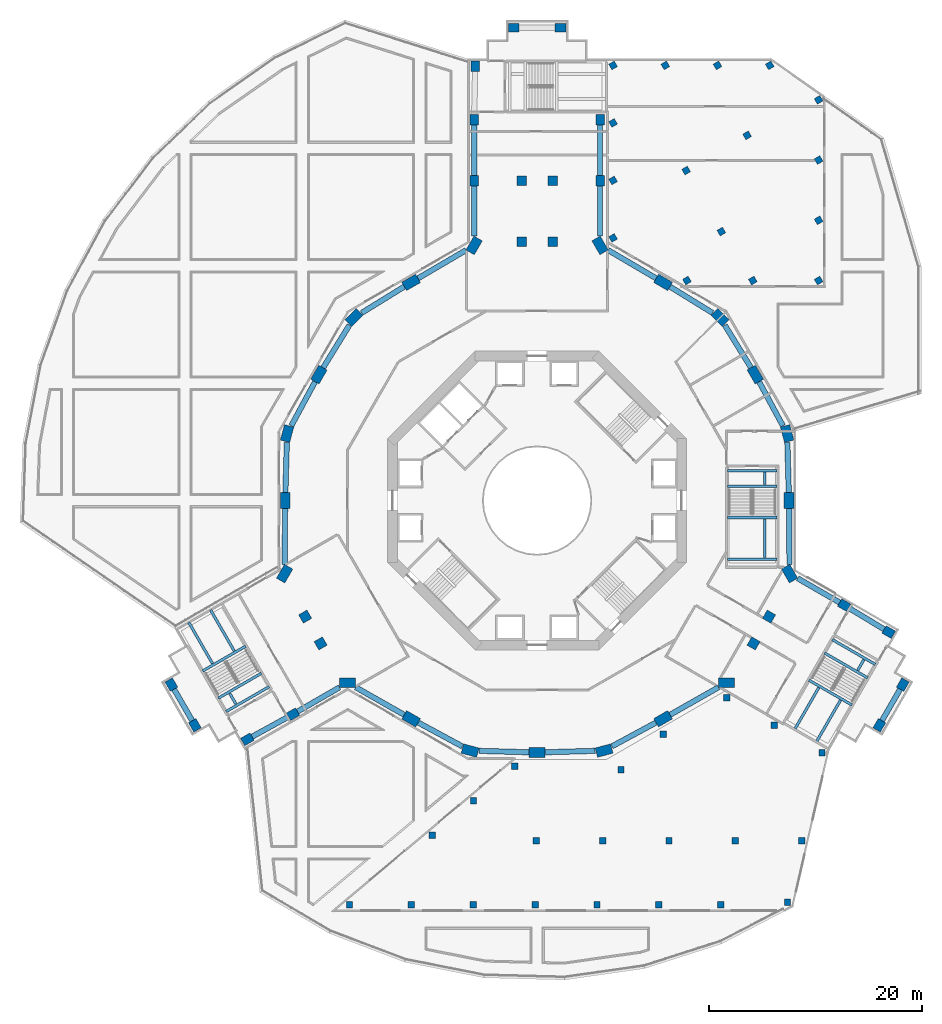
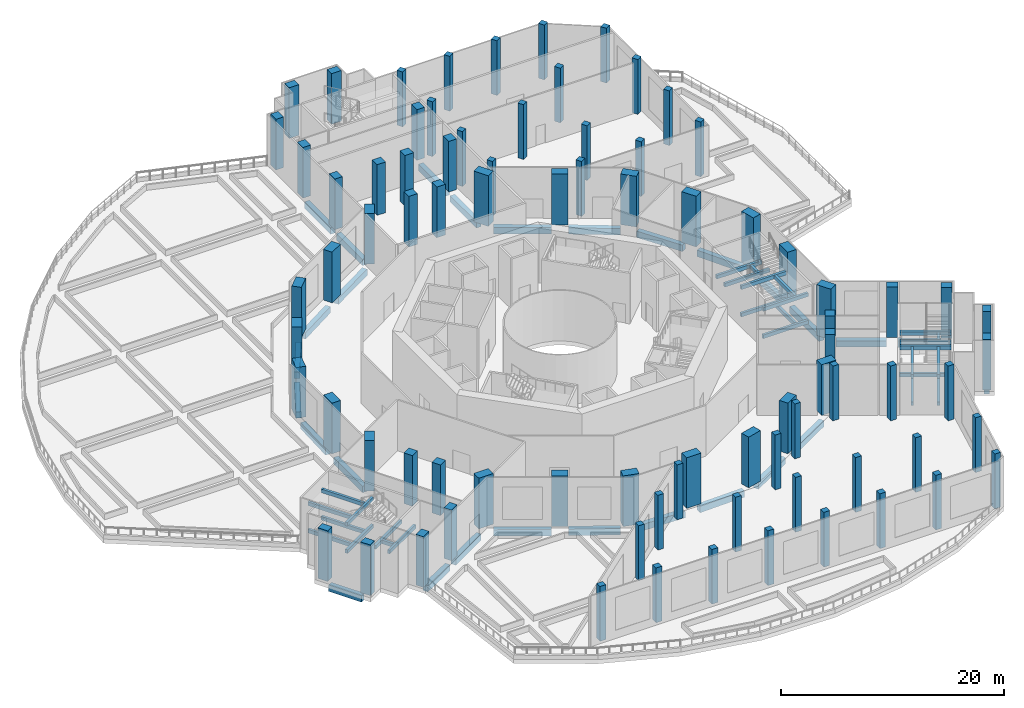
# One storey, part 1 of 29: 81 columns, 55 beams.
"""IFC4 building model written with IfcOpenShell, lengths in metres."""

import ifcopenshell
import ifcopenshell.guid

model = None  # the IFC model being written
_history = None  # IfcOwnerHistory: only IFC2X3 demands one
_inside = {}  # id of a spatial element -> (the spatial element, [elements in it])
_under = {}  # id of a project, library or spatial element -> (it, [spatial elements below it])
_declared = {}  # id of a project -> (the project, [libraries it declares])
_typed = {}  # id of a type object -> (the type object, [elements of that type])
_made_of = {}  # id of a material, layer set ... -> (it, [elements and type objects made of it])


def new_model(schema):
    """Start an empty IFC model of exactly this schema.

    Asked for "IFC4X3", IfcOpenShell would pick the latest addendum, in which some entities
    have other attributes; the version numbers below select the first issue.
    IFC2X3 requires an IfcOwnerHistory on every rooted entity: one is made here for all.
    """
    global model, _history
    if schema == "IFC4X3":
        model = ifcopenshell.file(schema_version=(4, 3, 0, 0))
    else:
        model = ifcopenshell.file(schema=schema)
    _inside.clear()
    _under.clear()
    _declared.clear()
    _typed.clear()
    _made_of.clear()
    _history = None
    if model.schema == "IFC2X3":
        org = make("IfcOrganization", Name="unknown")
        user = make(
            "IfcPersonAndOrganization",
            ThePerson=make("IfcPerson", FamilyName="unknown"),
            TheOrganization=org,
        )
        app = make(
            "IfcApplication",
            ApplicationDeveloper=org,
            Version="unknown",
            ApplicationFullName="unknown",
            ApplicationIdentifier="unknown",
        )
        _history = make(
            "IfcOwnerHistory",
            OwningUser=user,
            OwningApplication=app,
            ChangeAction="ADDED",
            CreationDate=0,
        )
    return model


def make(cls, **values):
    """One entity of the class cls with the attributes given. An attribute that is None is left unset."""
    return model.create_entity(
        cls, **{name: value for name, value in values.items() if value is not None}
    )


def rooted(cls, **values):
    """An entity with a GlobalId (a new one), such as an element, a storey or a relation."""
    return make(cls, GlobalId=ifcopenshell.guid.new(), OwnerHistory=_history, **values)


def si_unit(unit_type, name, prefix=None):
    """IfcSIUnit, for example si_unit("LENGTHUNIT", "METRE", prefix="MILLI")."""
    return make("IfcSIUnit", UnitType=unit_type, Prefix=prefix, Name=name)


def assignment(units):
    """IfcUnitAssignment: the units of a project."""
    return None if units is None else make("IfcUnitAssignment", Units=units)


def point(xyz):
    """IfcCartesianPoint."""
    return None if xyz is None else make("IfcCartesianPoint", Coordinates=xyz)


def direction(xyz):
    """IfcDirection."""
    return None if xyz is None else make("IfcDirection", DirectionRatios=xyz)


def frame(location, z_axis=None, x_axis=None):
    """IfcAxis2Placement3D, a coordinate frame: its origin and axes. An axis left out is left unset."""
    return make(
        "IfcAxis2Placement3D",
        Location=point(location),
        Axis=direction(z_axis),
        RefDirection=direction(x_axis),
    )


def frame_2d(location, x_axis=None):
    """IfcAxis2Placement2D, a coordinate frame in the plane: its origin and x axis."""
    return make(
        "IfcAxis2Placement2D", Location=point(location), RefDirection=direction(x_axis)
    )


def origin():
    """The frame at (0, 0, 0) with its axes left unset."""
    return frame((0.0, 0.0, 0.0))


def origin_2d():
    """The frame at (0, 0) in the plane with its x axis left unset."""
    return frame_2d((0.0, 0.0))


def place(relative_to, where):
    """IfcLocalPlacement: puts the frame where relative to a parent placement (None: the world)."""
    return make(
        "IfcLocalPlacement", PlacementRelTo=relative_to, RelativePlacement=where
    )


def context(
    kind, dimensions, precision=None, world=None, true_north=None, identifier=None
):
    """IfcGeometricRepresentationContext, for example the 3D "Model" context."""
    return make(
        "IfcGeometricRepresentationContext",
        ContextIdentifier=identifier,
        ContextType=kind,
        CoordinateSpaceDimension=dimensions,
        Precision=precision,
        WorldCoordinateSystem=world,
        TrueNorth=true_north,
    )


def subcontext(parent, identifier, kind, view, scale=None):
    """IfcGeometricRepresentationSubContext, for example "Body" below "Model"."""
    return make(
        "IfcGeometricRepresentationSubContext",
        ContextIdentifier=identifier,
        ContextType=kind,
        ParentContext=parent,
        TargetScale=scale,
        TargetView=view,
    )


def project(units=None, contexts=None):
    """IfcProject with its units and contexts."""
    return rooted(
        "IfcProject",
        Name="project",
        RepresentationContexts=contexts,
        UnitsInContext=assignment(units),
    )


def spatial(cls, under=None, at=None, **own):
    """A site, building, storey or space (cls), placed at a placement, below another one or the project."""
    s = rooted(cls, ObjectPlacement=at, **own)
    if under is not None:
        _under.setdefault(under.id(), (under, []))[1].append(s)
    return s


def profile(cls, at=None, kind="AREA", **sizes):
    """A parametric profile (cls). Its sizes go by their IFC names, for example OverallWidth=200.0."""
    return make(cls, ProfileType=kind, Position=at, **sizes)


def rectangle(**sizes):
    """IfcRectangleProfileDef."""
    return profile("IfcRectangleProfileDef", **sizes)


def extrude(swept, where, along, depth):
    """IfcExtrudedAreaSolid: the profile swept, set in the frame where, extruded along a direction by depth."""
    return make(
        "IfcExtrudedAreaSolid",
        SweptArea=swept,
        Position=where,
        ExtrudedDirection=direction(along),
        Depth=depth,
    )


def shape(context_of_items, identifier, shape_type, items):
    """IfcShapeRepresentation: the items that make up one representation, for example the "Body"."""
    return make(
        "IfcShapeRepresentation",
        ContextOfItems=context_of_items,
        RepresentationIdentifier=identifier,
        RepresentationType=shape_type,
        Items=items,
    )


def material(Name=None, Category=None):
    """IfcMaterial."""
    return make("IfcMaterial", Name=Name, Category=Category)


def material_profile(
    of_material, cross_section, Name=None, Category=None, Priority=None
):
    """IfcMaterialProfile: a cross section and its material."""
    return make(
        "IfcMaterialProfile",
        Name=Name,
        Material=of_material,
        Profile=cross_section,
        Priority=Priority,
        Category=Category,
    )


def profile_set(profiles, Name=None, composite=None):
    """IfcMaterialProfileSet."""
    return make(
        "IfcMaterialProfileSet",
        Name=Name,
        MaterialProfiles=profiles,
        CompositeProfile=composite,
    )


def made_of(thing, what):
    """Note that an element or type object is made of a material, layer set ...; save() writes the relation."""
    if what is not None:
        _made_of.setdefault(what.id(), (what, []))[1].append(thing)
    return thing


def type_object(cls, material=None, **own):
    """A type object (cls), such as IfcWallType, which elements share."""
    return made_of(rooted(cls, **own), material)


def element(
    cls,
    number,
    at=None,
    inside=None,
    cuts=None,
    type_object=None,
    material=None,
    context=None,
    identifier="Body",
    shape_type=None,
    held_by="IfcProductDefinitionShape",
    body=None,
    shapes=None,
    **own,
):
    """One element of the class cls, such as IfcWall. Its Tag is "e" and its number.

    at: its placement. inside: the storey or other place that contains it. cuts: it is an
    opening in that element (IfcRelVoidsElement). A single representation is given by context,
    identifier, shape_type and body (its items); several are given by shapes. held_by: the class
    of the entity that holds the representations. save() writes the other relations.
    """
    e = rooted(cls, Tag="e%d" % number, ObjectPlacement=at, **own)
    if body is not None:
        shapes = [shape(context, identifier, shape_type, body)]
    if shapes is not None:
        e.Representation = make(held_by, Representations=shapes)
    if inside is not None:
        _inside.setdefault(inside.id(), (inside, []))[1].append(e)
    if cuts is not None:
        rooted(
            "IfcRelVoidsElement", RelatingBuildingElement=cuts, RelatedOpeningElement=e
        )
    if type_object is not None:
        _typed.setdefault(type_object.id(), (type_object, []))[1].append(e)
    return made_of(e, material)


def aggregate(whole, parts):
    """IfcRelAggregates: a whole, such as a stair, and the parts it consists of."""
    return rooted("IfcRelAggregates", RelatingObject=whole, RelatedObjects=parts)


def save(model, path):
    """Write the relations noted so far, then the file.

    IfcRelAggregates (storeys below a building ...), IfcRelContainedInSpatialStructure (elements
    in a storey), IfcRelDefinesByType, IfcRelAssociatesMaterial and IfcRelDeclares: one each for
    every whole, place, type object, material and project.
    """
    for whole, parts in _under.values():
        aggregate(whole, parts)
    for where, things in _inside.values():
        rooted(
            "IfcRelContainedInSpatialStructure",
            RelatedElements=things,
            RelatingStructure=where,
        )
    for kind, things in _typed.values():
        rooted("IfcRelDefinesByType", RelatedObjects=things, RelatingType=kind)
    for what, things in _made_of.values():
        rooted("IfcRelAssociatesMaterial", RelatedObjects=things, RelatingMaterial=what)
    for by, libraries in _declared.values():
        rooted("IfcRelDeclares", RelatingContext=by, RelatedDefinitions=libraries)
    model.write(path)


model = new_model("IFC4")

# Units and contexts
model_context = context("Model", 3, precision=1e-05, world=origin(), true_north=direction((0.0, 1.0)))
body_context = subcontext(model_context, "Body", "Model", "MODEL_VIEW")
ifc_project = project(units=[si_unit("LENGTHUNIT", "METRE"), si_unit("AREAUNIT", "SQUARE_METRE"), si_unit("VOLUMEUNIT", "CUBIC_METRE"), si_unit("PLANEANGLEUNIT", "RADIAN"), si_unit("MASSUNIT", "GRAM", prefix="KILO")], contexts=[model_context])

# Site, building, storey
site_placement = place(None, origin())
site = spatial("IfcSite", under=ifc_project, at=site_placement, CompositionType="ELEMENT")
building_placement = place(site_placement, origin())
building = spatial("IfcBuilding", under=site, at=building_placement, Name="Verdalira Terraces Hotel", CompositionType="ELEMENT")
storey_placement = place(building_placement, frame((0.0, 0.0, 8.0)))
storey = spatial("IfcBuildingStorey", under=building, at=storey_placement, Name="L01", CompositionType="ELEMENT", Elevation=8.0)

# Columns
ifc_material_1 = material(Name="Concrete C80", Category="concrete")
ifc_material_profile_1 = material_profile(ifc_material_1, rectangle(XDim=1.0, YDim=0.800049, at=origin_2d()), Name="RC 1000X800")
ifc_profile_set_1 = profile_set([ifc_material_profile_1], Name="Concrete C80")
column_type_1 = type_object("IfcColumnType", Name="Column RC 1000X800 C80", PredefinedType="COLUMN", material=ifc_profile_set_1)
for number, where, z_axis, x_axis, name in (
    (1, (5.899902, 29.972168, 0.0), (0.0, 0.0, 1.0), (0.0, 1.0, 0.0), "Column C01"),
    (2, (5.899902, 35.686035, 0.0), (0.0, 0.0, 1.0), (0.0, 1.0, 0.0), "Column C02"),
    (3, (-5.800049, 40.699951, 0.0), (0.0, 0.0, 1.0), (0.0, -1.0, 0.0), "Column C03"),
    (4, (-5.899902, 35.686035, 0.0), (0.0, 0.0, 1.0), (0.0, -1.0, 0.0), "Column C04"),
    (5, (-5.899902, 29.972168, 0.0), (0.0, 0.0, 1.0), (0.0, -1.0, 0.0), "Column C05"),
    (6, (-34.268799, -17.244629, 0.0), (0.0, 0.0, 1.0), (0.5, -0.866025404, 0.0), "Column C13"),
    (7, (-32.068848, -21.05542, 0.0), (0.0, 0.0, 1.0), (0.5, -0.866025404, 0.0), "Column C14"),
    (8, (-27.151123, -22.372803, 0.0), (0.0, 0.0, 1.0), (0.866025404, 0.5, 0.0), "Column C15"),
    (9, (-22.882812, -20.02417, 0.0), (0.0, 0.0, 1.0), (0.866025404, 0.5, 0.0), "Column C16"),
    (10, (32.068848, -21.05542, 0.0), (0.0, 0.0, 1.0), (0.5, 0.866025404, 0.0), "Column C24"),
    (11, (34.268799, -17.244629, 0.0), (0.0, 0.0, 1.0), (0.5, 0.866025404, 0.0), "Column C25"),
    (12, (32.951172, -12.327148, 0.0), (0.0, 0.0, 1.0), (-0.866025404, 0.5, 0.0), "Column C26"),
    (13, (28.782715, -9.804932, 0.0), (0.0, 0.0, 1.0), (-0.866025404, 0.5, 0.0), "Column C27"),
    (14, (2.199951, 44.300049, 0.0), (0.0, 0.0, 1.0), (-1.0, 0.0, 0.0), "Column C35"),
    (15, (-2.199951, 44.300049, 0.0), (0.0, 0.0, 1.0), (-1.0, 0.0, 0.0), "Column C36"),
):
    element("IfcColumn", number, at=place(storey_placement, frame(where, z_axis=z_axis, x_axis=x_axis)), inside=storey, type_object=column_type_1, Name=name, PredefinedType="COLUMN", context=body_context, shape_type="SweptSolid", body=[
        extrude(rectangle(XDim=1.0, YDim=0.800049, at=origin_2d()), origin(), (0.0, 0.0, 1.0), 5.550049),
    ])
ifc_material_2 = material(Name="Concrete C80", Category="concrete")
ifc_material_profile_2 = material_profile(ifc_material_2, rectangle(XDim=1.5, YDim=0.899902, at=origin_2d()), Name="RC 1500X900")
ifc_profile_set_2 = profile_set([ifc_material_profile_2], Name="Concrete C80")
column_type_2 = type_object("IfcColumnType", Name="Column RC 1500X900 C80", PredefinedType="COLUMN", material=ifc_profile_set_2)
for number, where, z_axis, x_axis, name in (
    (16, (-5.899902, 23.911865, 0.0), (0.0, 0.0, 1.0), (0.5, 0.866025404, 0.0), "Column C06"),
    (17, (-11.804199, 20.445312, 0.0), (0.0, 0.0, 1.0), (-0.866025404, -0.5, 0.0), "Column C07"),
    (18, (-17.150635, 17.150635, 0.0), (0.0, 0.0, 1.0), (0.707106781, 0.707106781, 0.0), "Column C08"),
    (19, (-20.445312, 11.804199, 0.0), (0.0, 0.0, 1.0), (-0.5, -0.866025404, 0.0), "Column C09"),
    (20, (-23.428223, 6.277588, 0.0), (0.0, 0.0, 1.0), (0.258819045, 0.965925826, 0.0), "Column C10"),
    (21, (-23.608398, 0.0, 0.0), (0.0, 0.0, 1.0), (0.0, -1.0, 0.0), "Column C11"),
    (22, (-23.658203, -6.846436, 0.0), (0.0, 0.0, 1.0), (0.5, 0.866025404, 0.0), "Column C12"),
    (23, (-17.758301, -17.06543, 0.0), (0.0, 0.0, 1.0), (-1.0, 0.0, 0.0), "Column C17"),
    (24, (-11.804199, -20.445312, 0.0), (0.0, 0.0, 1.0), (0.866025404, -0.5, 0.0), "Column C18"),
    (25, (-6.277588, -23.428223, 0.0), (0.0, 0.0, 1.0), (-0.965925826, 0.258819045, 0.0), "Column C19"),
    (26, (0.0, -23.608398, 0.0), (0.0, 0.0, 1.0), (1.0, 0.0, 0.0), "Column C20"),
    (27, (6.277588, -23.428223, 0.0), (0.0, 0.0, 1.0), (-0.965925826, -0.258819045, 0.0), "Column C21"),
    (28, (11.804199, -20.445312, 0.0), (0.0, 0.0, 1.0), (0.866025404, 0.5, 0.0), "Column C22"),
    (29, (17.758301, -17.06543, 0.0), (0.0, 0.0, 1.0), (-1.0, 0.0, 0.0), "Column C23"),
    (30, (23.658203, -6.846436, 0.0), (0.0, 0.0, 1.0), (0.5, -0.866025404, 0.0), "Column C28"),
    (31, (23.608398, 0.0, 0.0), (0.0, 0.0, 1.0), (0.0, 1.0, 0.0), "Column C29"),
    (32, (23.428223, 6.277588, 0.0), (0.0, 0.0, 1.0), (0.258819045, -0.965925826, 0.0), "Column C30"),
    (33, (20.445312, 11.804199, 0.0), (0.0, 0.0, 1.0), (-0.5, 0.866025404, 0.0), "Column C31"),
    (34, (17.150635, 17.150635, 0.0), (0.0, 0.0, 1.0), (0.707106781, -0.707106781, 0.0), "Column C32"),
    (35, (11.804199, 20.445312, 0.0), (0.0, 0.0, 1.0), (-0.866025404, 0.5, 0.0), "Column C33"),
    (36, (5.899902, 23.911865, 0.0), (0.0, 0.0, 1.0), (0.5, -0.866025404, 0.0), "Column C34"),
):
    element("IfcColumn", number, at=place(storey_placement, frame(where, z_axis=z_axis, x_axis=x_axis)), inside=storey, type_object=column_type_2, Name=name, PredefinedType="COLUMN", context=body_context, shape_type="SweptSolid", body=[
        extrude(rectangle(XDim=1.5, YDim=0.899902, at=origin_2d()), origin(), (0.0, 0.0, 1.0), 5.550049),
    ])
ifc_material_3 = material(Name="Concrete C80", Category="concrete")
ifc_material_profile_3 = material_profile(ifc_material_3, rectangle(XDim=0.899902, YDim=0.899902, at=origin_2d()), Name="RC 900X900")
ifc_profile_set_3 = profile_set([ifc_material_profile_3], Name="Concrete C80")
column_type_3 = type_object("IfcColumnType", Name="Column RC 900X900 C80", PredefinedType="COLUMN", material=ifc_profile_set_3)
for number, where, z_axis, x_axis, name in (
    (37, (1.449951, 24.258301, 0.0), (0.0, 0.0, 1.0), (0.0, 1.0, 0.0), "Column C37"),
    (38, (-1.449951, 24.258301, 0.0), (0.0, 0.0, 1.0), (0.0, 1.0, 0.0), "Column C38"),
    (39, (1.449951, 29.972168, 0.0), (0.0, 0.0, 1.0), (0.0, 1.0, 0.0), "Column C39"),
    (40, (-1.449951, 29.972168, 0.0), (0.0, 0.0, 1.0), (0.0, 1.0, 0.0), "Column C40"),
    (41, (-21.733398, -10.873291, 0.0), (0.0, 0.0, 1.0), (-0.866025404, -0.5, 0.0), "Column C41"),
    (42, (-20.283203, -13.38501, 0.0), (0.0, 0.0, 1.0), (-0.866025404, -0.5, 0.0), "Column C42"),
    (43, (20.283203, -13.38501, 0.0), (0.0, 0.0, 1.0), (0.866025404, -0.5, 0.0), "Column C43"),
    (44, (21.733398, -10.873291, 0.0), (0.0, 0.0, 1.0), (0.866025404, -0.5, 0.0), "Column C44"),
):
    element("IfcColumn", number, at=place(storey_placement, frame(where, z_axis=z_axis, x_axis=x_axis)), inside=storey, type_object=column_type_3, Name=name, PredefinedType="COLUMN", context=body_context, shape_type="SweptSolid", body=[
        extrude(rectangle(XDim=0.899902, YDim=0.899902, at=origin_2d()), origin(), (0.0, 0.0, 1.0), 5.550049),
    ])
ifc_material_4 = material(Name="Concrete C50", Category="concrete")
ifc_material_profile_4 = material_profile(ifc_material_4, rectangle(XDim=0.600098, YDim=0.600098, at=origin_2d()), Name="RC 600X600")
ifc_profile_set_4 = profile_set([ifc_material_profile_4], Name="Concrete C50")
column_type_4 = type_object("IfcColumnType", Name="Wing column RC 600X600 Concrete C50", PredefinedType="COLUMN", material=ifc_profile_set_4)
for number, where, z_axis, x_axis, name in (
    (45, (-17.576904, -37.879883, 0.0), (0.0, 0.0, 1.0), (0.0, -1.0, 0.0), "Wing column PC01"),
    (46, (-9.82959, -31.37915, 0.0), (0.0, 0.0, 1.0), (0.0, -1.0, 0.0), "Wing column PC02"),
    (47, (-11.778809, -37.879883, 0.0), (0.0, 0.0, 1.0), (0.0, -1.0, 0.0), "Wing column PC03"),
    (48, (-5.955811, -28.128662, 0.0), (0.0, 0.0, 1.0), (0.0, -1.0, 0.0), "Wing column PC04"),
    (49, (-5.980225, -37.879883, 0.0), (0.0, 0.0, 1.0), (0.0, -1.0, 0.0), "Wing column PC05"),
    (50, (-2.082275, -24.878418, 0.0), (0.0, 0.0, 1.0), (0.0, -1.0, 0.0), "Wing column PC06"),
    (51, (-0.181885, -37.879883, 0.0), (0.0, 0.0, 1.0), (0.0, -1.0, 0.0), "Wing column PC07"),
    (52, (-0.068848, -31.879883, 0.0), (0.0, 0.0, 1.0), (0.0, -1.0, 0.0), "Wing column PC08"),
    (53, (5.616211, -37.879883, 0.0), (0.0, 0.0, 1.0), (0.0, -1.0, 0.0), "Wing column PC09"),
    (54, (6.146729, -31.879883, 0.0), (0.0, 0.0, 1.0), (0.0, -1.0, 0.0), "Wing column PC10"),
    (55, (11.414551, -37.879883, 0.0), (0.0, 0.0, 1.0), (0.0, -1.0, 0.0), "Wing column PC11"),
    (56, (7.860107, -25.226807, 0.0), (0.0, 0.0, 1.0), (0.0, -1.0, 0.0), "Wing column PC12"),
    (57, (12.362549, -31.879883, 0.0), (0.0, 0.0, 1.0), (0.0, -1.0, 0.0), "Wing column PC13"),
    (58, (17.212891, -37.879883, 0.0), (0.0, 0.0, 1.0), (0.0, -1.0, 0.0), "Wing column PC14"),
    (59, (11.824707, -21.899902, 0.0), (0.0, 0.0, 1.0), (0.0, -1.0, 0.0), "Wing column PC15"),
    (60, (18.578125, -31.879883, 0.0), (0.0, 0.0, 1.0), (0.0, -1.0, 0.0), "Wing column PC16"),
    (61, (23.460449, -37.647217, 0.0), (0.0, 0.0, 1.0), (0.0, -1.0, 0.0), "Wing column PC17"),
    (62, (24.793945, -31.879883, 0.0), (0.0, 0.0, 1.0), (0.0, -1.0, 0.0), "Wing column PC18"),
    (63, (17.758301, -18.474121, 0.0), (0.0, 0.0, 1.0), (0.0, -1.0, 0.0), "Wing column PC19"),
    (64, (22.229004, -21.05542, 0.0), (0.0, 0.0, 1.0), (0.0, -1.0, 0.0), "Wing column PC20"),
    (65, (26.699951, -23.636719, 0.0), (0.0, 0.0, 1.0), (0.0, -1.0, 0.0), "Wing column PC21"),
    (66, (26.379883, 20.620117, 0.0), (0.0, 0.0, 1.0), (0.866025404, 0.5, 0.0), "Wing column PC22"),
    (67, (26.379883, 26.264893, 0.0), (0.0, 0.0, 1.0), (0.866025404, 0.5, 0.0), "Wing column PC23"),
    (68, (20.210938, 20.620117, 0.0), (0.0, 0.0, 1.0), (0.866025404, 0.5, 0.0), "Wing column PC24"),
    (69, (26.379883, 31.909912, 0.0), (0.0, 0.0, 1.0), (0.866025404, 0.5, 0.0), "Wing column PC25"),
    (70, (26.379883, 37.554688, 0.0), (0.0, 0.0, 1.0), (0.866025404, 0.5, 0.0), "Wing column PC26"),
    (71, (17.266113, 25.210693, 0.0), (0.0, 0.0, 1.0), (0.866025404, 0.5, 0.0), "Wing column PC27"),
    (72, (14.041748, 20.620117, 0.0), (0.0, 0.0, 1.0), (0.866025404, 0.5, 0.0), "Wing column PC28"),
    (73, (19.681885, 34.226562, 0.0), (0.0, 0.0, 1.0), (0.866025404, 0.5, 0.0), "Wing column PC29"),
    (74, (21.803467, 40.780029, 0.0), (0.0, 0.0, 1.0), (0.866025404, 0.5, 0.0), "Wing column PC30"),
    (75, (13.966309, 30.926514, 0.0), (0.0, 0.0, 1.0), (0.866025404, 0.5, 0.0), "Wing column PC31"),
    (76, (16.908936, 40.780029, 0.0), (0.0, 0.0, 1.0), (0.866025404, 0.5, 0.0), "Wing column PC32"),
    (77, (12.014404, 40.780029, 0.0), (0.0, 0.0, 1.0), (0.866025404, 0.5, 0.0), "Wing column PC33"),
    (78, (7.120117, 24.616211, 0.0), (0.0, 0.0, 1.0), (0.866025404, 0.5, 0.0), "Wing column PC34"),
    (79, (7.120117, 30.00415, 0.0), (0.0, 0.0, 1.0), (0.866025404, 0.5, 0.0), "Wing column PC35"),
    (80, (7.120117, 35.39209, 0.0), (0.0, 0.0, 1.0), (0.866025404, 0.5, 0.0), "Wing column PC36"),
    (81, (7.120117, 40.780029, 0.0), (0.0, 0.0, 1.0), (0.866025404, 0.5, 0.0), "Wing column PC37"),
):
    element("IfcColumn", number, at=place(storey_placement, frame(where, z_axis=z_axis, x_axis=x_axis)), inside=storey, type_object=column_type_4, Name=name, PredefinedType="COLUMN", context=body_context, shape_type="SweptSolid", body=[
        extrude(rectangle(XDim=0.600098, YDim=0.600098, at=origin_2d()), origin(), (0.0, 0.0, 1.0), 6.0),
    ])

# Beams
ifc_material_5 = material(Name="Concrete C70", Category="concrete")
ifc_material_profile_5 = material_profile(ifc_material_5, rectangle(XDim=0.5, YDim=0.699951, at=origin_2d()), Name="RC 500X700")
ifc_profile_set_5 = profile_set([ifc_material_profile_5], Name="Concrete C70")
beam_type_1 = type_object("IfcBeamType", Name="Spandrel beam RC 500X700 C70", PredefinedType="SPANDREL", material=ifc_profile_set_5)
beam_1_placement = place(storey_placement, frame((5.899902, 24.786377, -0.800049), z_axis=(0.0, 1.0, 0.0), x_axis=(-1.0, 0.0, 0.0)))
element("IfcBeam", 82, at=beam_1_placement, inside=storey, type_object=beam_type_1, Name="Spandrel beam B01", PredefinedType="SPANDREL", context=body_context, shape_type="SweptSolid", body=[
    extrude(rectangle(XDim=0.5, YDim=0.699951, at=origin_2d()), origin(), (0.0, 0.0, 1.0), 4.685791),
])
for number, where, z_axis, x_axis, name in (
    (83, (5.899902, 30.472168, -0.800049), (0.0, 1.0, 0.0), (-1.0, 0.0, 0.0), "Spandrel beam B02"),
    (84, (-5.899902, 35.186035, -0.800049), (0.0, -1.0, 0.0), (1.0, 0.0, 0.0), "Spandrel beam B05"),
):
    element("IfcBeam", number, at=place(storey_placement, frame(where, z_axis=z_axis, x_axis=x_axis)), inside=storey, type_object=beam_type_1, Name=name, PredefinedType="SPANDREL", context=body_context, shape_type="SweptSolid", body=[
        extrude(rectangle(XDim=0.5, YDim=0.699951, at=origin_2d()), origin(), (0.0, 0.0, 1.0), 4.713867),
    ])
beam_2_placement = place(storey_placement, frame((-5.899902, 29.472168, -0.800049), z_axis=(0.0, -1.0, 0.0), x_axis=(1.0, 0.0, 0.0)))
element("IfcBeam", 85, at=beam_2_placement, inside=storey, type_object=beam_type_1, Name="Spandrel beam B06", PredefinedType="SPANDREL", context=body_context, shape_type="SweptSolid", body=[
    extrude(rectangle(XDim=0.5, YDim=0.699951, at=origin_2d()), origin(), (0.0, 0.0, 1.0), 4.685791),
])
beam_3_placement = place(storey_placement, frame((-6.654053, 23.469238, -0.800049), z_axis=(-0.862353622, -0.506306458, 0.0), x_axis=(0.506306458, -0.862353622, 0.0)))
element("IfcBeam", 86, at=beam_3_placement, inside=storey, type_object=beam_type_1, Name="Spandrel beam B07", PredefinedType="SPANDREL", context=body_context, shape_type="SweptSolid", body=[
    extrude(rectangle(XDim=0.5, YDim=0.699951, at=origin_2d()), origin(), (0.0, 0.0, 1.0), 5.21875),
])
for number, where, z_axis, x_axis, name in (
    (87, (-12.453369, 20.04541, -0.800049), (-0.851334227, -0.524623706, 0.0), (0.524623706, -0.851334227, 0.0), "Spandrel beam B08"),
    (88, (-17.588135, 16.440918, -0.800049), (-0.524623706, -0.851334227, 0.0), (0.851334227, -0.524623706, 0.0), "Spandrel beam B09"),
    (89, (-20.807617, 11.133057, -0.800049), (-0.474994751, -0.879988629, 0.0), (0.879988629, -0.474994751, 0.0), "Spandrel beam B10"),
):
    element("IfcBeam", number, at=place(storey_placement, frame(where, z_axis=z_axis, x_axis=x_axis)), inside=storey, type_object=beam_type_1, Name=name, PredefinedType="SPANDREL", context=body_context, shape_type="SweptSolid", body=[
        extrude(rectangle(XDim=0.5, YDim=0.699951, at=origin_2d()), origin(), (0.0, 0.0, 1.0), 4.683838),
    ])
beam_4_placement = place(storey_placement, frame((-23.452148, 5.444336, -0.800049), z_axis=(-0.028666908, -0.99958902, 0.0), x_axis=(0.99958902, -0.028666908, 0.0)))
element("IfcBeam", 90, at=beam_4_placement, inside=storey, type_object=beam_type_1, Name="Spandrel beam B11", PredefinedType="SPANDREL", context=body_context, shape_type="SweptSolid", body=[
    extrude(rectangle(XDim=0.5, YDim=0.699951, at=origin_2d()), origin(), (0.0, 0.0, 1.0), 4.684082),
])
beam_5_placement = place(storey_placement, frame((-23.61377, -0.753174, -0.800049), z_axis=(-0.00729771, -0.999973371, 0.0), x_axis=(0.999973371, -0.00729771, 0.0)))
element("IfcBeam", 91, at=beam_5_placement, inside=storey, type_object=beam_type_1, Name="Spandrel beam B12", PredefinedType="SPANDREL", context=body_context, shape_type="SweptSolid", body=[
    extrude(rectangle(XDim=0.5, YDim=0.699951, at=origin_2d()), origin(), (0.0, 0.0, 1.0), 5.218994),
])
beam_6_placement = place(storey_placement, frame((-34.018799, -17.677734, -0.800049), z_axis=(0.499977295, -0.866038512, 0.0), x_axis=(0.866038512, 0.499977295, 0.0)))
element("IfcBeam", 92, at=beam_6_placement, inside=storey, type_object=beam_type_1, Name="Spandrel beam B13", PredefinedType="SPANDREL", context=body_context, shape_type="SweptSolid", body=[
    extrude(rectangle(XDim=0.5, YDim=0.699951, at=origin_2d()), origin(), (0.0, 0.0, 1.0), 3.400146),
])
beam_7_placement = place(storey_placement, frame((-26.705811, -22.12793, -0.800049), z_axis=(0.876103585, 0.482122918, 0.0), x_axis=(-0.482122918, 0.876103585, 0.0)))
element("IfcBeam", 93, at=beam_7_placement, inside=storey, type_object=beam_type_1, Name="Spandrel beam B14", PredefinedType="SPANDREL", context=body_context, shape_type="SweptSolid", body=[
    extrude(rectangle(XDim=0.5, YDim=0.699951, at=origin_2d()), origin(), (0.0, 0.0, 1.0), 3.855713),
])
beam_8_placement = place(storey_placement, frame((-22.449707, -19.77417, -0.800049), z_axis=(0.866011958, 0.500023288, 0.0), x_axis=(-0.500023288, 0.866011958, 0.0)))
element("IfcBeam", 94, at=beam_8_placement, inside=storey, type_object=beam_type_1, Name="Spandrel beam B15", PredefinedType="SPANDREL", context=body_context, shape_type="SweptSolid", body=[
    extrude(rectangle(XDim=0.5, YDim=0.699951, at=origin_2d()), origin(), (0.0, 0.0, 1.0), 4.542725),
])
beam_9_placement = place(storey_placement, frame((-16.997803, -17.497314, -0.800049), z_axis=(0.869667461, -0.493638034, 0.0), x_axis=(0.493638034, 0.869667461, 0.0)))
element("IfcBeam", 95, at=beam_9_placement, inside=storey, type_object=beam_type_1, Name="Spandrel beam B16", PredefinedType="SPANDREL", context=body_context, shape_type="SweptSolid", body=[
    extrude(rectangle(XDim=0.5, YDim=0.699951, at=origin_2d()), origin(), (0.0, 0.0, 1.0), 5.21875),
])
beam_10_placement = place(storey_placement, frame((-11.133057, -20.807617, -0.800049), z_axis=(0.879988629, -0.474994751, 0.0), x_axis=(0.474994751, 0.879988629, 0.0)))
element("IfcBeam", 96, at=beam_10_placement, inside=storey, type_object=beam_type_1, Name="Spandrel beam B17", PredefinedType="SPANDREL", context=body_context, shape_type="SweptSolid", body=[
    extrude(rectangle(XDim=0.5, YDim=0.699951, at=origin_2d()), origin(), (0.0, 0.0, 1.0), 4.683838),
])
for number, where, z_axis, x_axis, name in (
    (97, (-5.444336, -23.452148, -0.800049), (0.99958902, -0.028666908, 0.0), (0.028666908, 0.99958902, 0.0), "Spandrel beam B18"),
    (98, (0.762207, -23.586426, -0.800049), (0.99958902, 0.028666908, 0.0), (-0.028666908, 0.99958902, 0.0), "Spandrel beam B19"),
):
    element("IfcBeam", number, at=place(storey_placement, frame(where, z_axis=z_axis, x_axis=x_axis)), inside=storey, type_object=beam_type_1, Name=name, PredefinedType="SPANDREL", context=body_context, shape_type="SweptSolid", body=[
        extrude(rectangle(XDim=0.5, YDim=0.699951, at=origin_2d()), origin(), (0.0, 0.0, 1.0), 4.684082),
    ])
beam_11_placement = place(storey_placement, frame((7.01123, -23.032471, -0.800049), z_axis=(0.879988629, 0.474994751, 0.0), x_axis=(-0.474994751, 0.879988629, 0.0)))
element("IfcBeam", 99, at=beam_11_placement, inside=storey, type_object=beam_type_1, Name="Spandrel beam B20", PredefinedType="SPANDREL", context=body_context, shape_type="SweptSolid", body=[
    extrude(rectangle(XDim=0.5, YDim=0.699951, at=origin_2d()), origin(), (0.0, 0.0, 1.0), 4.683838),
])
beam_12_placement = place(storey_placement, frame((12.459229, -20.073486, -0.800049), z_axis=(0.869667461, 0.493638034, 0.0), x_axis=(-0.493638034, 0.869667461, 0.0)))
element("IfcBeam", 100, at=beam_12_placement, inside=storey, type_object=beam_type_1, Name="Spandrel beam B21", PredefinedType="SPANDREL", context=body_context, shape_type="SweptSolid", body=[
    extrude(rectangle(XDim=0.5, YDim=0.699951, at=origin_2d()), origin(), (0.0, 0.0, 1.0), 5.21875),
])
beam_13_placement = place(storey_placement, frame((32.318848, -20.622314, -0.800049), z_axis=(0.499977295, 0.866038512, 0.0), x_axis=(-0.866038512, 0.499977295, 0.0)))
element("IfcBeam", 101, at=beam_13_placement, inside=storey, type_object=beam_type_1, Name="Spandrel beam B22", PredefinedType="SPANDREL", context=body_context, shape_type="SweptSolid", body=[
    extrude(rectangle(XDim=0.5, YDim=0.699951, at=origin_2d()), origin(), (0.0, 0.0, 1.0), 3.400146),
])
beam_14_placement = place(storey_placement, frame((32.516357, -12.063965, -0.800049), z_axis=(-0.855593073, 0.517649006, 0.0), x_axis=(-0.517649006, -0.855593073, 0.0)))
element("IfcBeam", 102, at=beam_14_placement, inside=storey, type_object=beam_type_1, Name="Spandrel beam B23", PredefinedType="SPANDREL", context=body_context, shape_type="SweptSolid", body=[
    extrude(rectangle(XDim=0.5, YDim=0.699951, at=origin_2d()), origin(), (0.0, 0.0, 1.0), 3.855713),
])
beam_15_placement = place(storey_placement, frame((28.349854, -9.554932, -0.800049), z_axis=(-0.86603523, 0.49998298, 0.0), x_axis=(-0.49998298, -0.86603523, 0.0)))
element("IfcBeam", 103, at=beam_15_placement, inside=storey, type_object=beam_type_1, Name="Spandrel beam B24", PredefinedType="SPANDREL", context=body_context, shape_type="SweptSolid", body=[
    extrude(rectangle(XDim=0.5, YDim=0.699951, at=origin_2d()), origin(), (0.0, 0.0, 1.0), 4.542725),
])
beam_16_placement = place(storey_placement, frame((23.651855, -5.971924, -0.800049), z_axis=(-0.00729771, 0.999973371, 0.0), x_axis=(-0.999973371, -0.00729771, 0.0)))
element("IfcBeam", 104, at=beam_16_placement, inside=storey, type_object=beam_type_1, Name="Spandrel beam B25", PredefinedType="SPANDREL", context=body_context, shape_type="SweptSolid", body=[
    extrude(rectangle(XDim=0.5, YDim=0.699951, at=origin_2d()), origin(), (0.0, 0.0, 1.0), 5.218994),
])
beam_17_placement = place(storey_placement, frame((23.586426, 0.762207, -0.800049), z_axis=(-0.028666908, 0.99958902, 0.0), x_axis=(-0.99958902, -0.028666908, 0.0)))
element("IfcBeam", 105, at=beam_17_placement, inside=storey, type_object=beam_type_1, Name="Spandrel beam B26", PredefinedType="SPANDREL", context=body_context, shape_type="SweptSolid", body=[
    extrude(rectangle(XDim=0.5, YDim=0.699951, at=origin_2d()), origin(), (0.0, 0.0, 1.0), 4.684082),
])
for number, where, z_axis, x_axis, name in (
    (106, (23.032471, 7.01123, -0.800049), (-0.474994751, 0.879988629, 0.0), (-0.879988629, -0.474994751, 0.0), "Spandrel beam B27"),
    (107, (20.04541, 12.453369, -0.800049), (-0.524623706, 0.851334227, 0.0), (-0.851334227, -0.524623706, 0.0), "Spandrel beam B28"),
    (108, (16.440918, 17.588135, -0.800049), (-0.851334227, 0.524623706, 0.0), (-0.524623706, -0.851334227, 0.0), "Spandrel beam B29"),
):
    element("IfcBeam", number, at=place(storey_placement, frame(where, z_axis=z_axis, x_axis=x_axis)), inside=storey, type_object=beam_type_1, Name=name, PredefinedType="SPANDREL", context=body_context, shape_type="SweptSolid", body=[
        extrude(rectangle(XDim=0.5, YDim=0.699951, at=origin_2d()), origin(), (0.0, 0.0, 1.0), 4.683838),
    ])
beam_18_placement = place(storey_placement, frame((11.154541, 20.826904, -0.800049), z_axis=(-0.862353622, 0.506306458, 0.0), x_axis=(-0.506306458, -0.862353622, 0.0)))
element("IfcBeam", 109, at=beam_18_placement, inside=storey, type_object=beam_type_1, Name="Spandrel beam B30", PredefinedType="SPANDREL", context=body_context, shape_type="SweptSolid", body=[
    extrude(rectangle(XDim=0.5, YDim=0.699951, at=origin_2d()), origin(), (0.0, 0.0, 1.0), 5.21875),
])
ifc_material_6 = material(Name="Concrete C40", Category="concrete")
ifc_material_profile_6 = material_profile(ifc_material_6, rectangle(XDim=0.25, YDim=0.399902, at=origin_2d()), Name="RC 250X400")
ifc_profile_set_6 = profile_set([ifc_material_profile_6], Name="Concrete C40")
beam_type_2 = type_object("IfcBeamType", Name="Stair landing beam RC 250X400 Concrete C40", PredefinedType="BEAM", material=ifc_profile_set_6)
beam_19_placement = place(storey_placement, frame((-27.306885, -13.643311, 1.100098), z_axis=(-0.866039014, -0.499976425, 0.0), x_axis=(0.499976425, -0.866039014, 0.0)))
element("IfcBeam", 110, at=beam_19_placement, inside=storey, type_object=beam_type_2, Name="Stair landing beam PS2-L01-1", PredefinedType="BEAM", context=body_context, shape_type="SweptSolid", body=[
    extrude(rectangle(XDim=0.25, YDim=0.399902, at=origin_2d()), origin(), (0.0, 0.0, 1.0), 4.659912),
])
beam_20_placement = place(storey_placement, frame((-30.414551, -15.270508, 1.100098), z_axis=(-0.499988561, 0.866032008, 0.0), x_axis=(-0.866032008, -0.499988561, 0.0)))
element("IfcBeam", 111, at=beam_20_placement, inside=storey, type_object=beam_type_2, Name="Stair landing beam PS2-L01-2", PredefinedType="BEAM", context=body_context, shape_type="SweptSolid", body=[
    extrude(rectangle(XDim=0.25, YDim=0.399902, at=origin_2d()), origin(), (0.0, 0.0, 1.0), 4.447266),
])
beam_21_placement = place(storey_placement, frame((-28.379395, -14.095703, 1.100098), z_axis=(-0.499964791, 0.866045731, 0.0), x_axis=(-0.866045731, -0.499964791, 0.0)))
element("IfcBeam", 112, at=beam_21_placement, inside=storey, type_object=beam_type_2, Name="Stair landing beam PS2-L01-3", PredefinedType="BEAM", context=body_context, shape_type="SweptSolid", body=[
    extrude(rectangle(XDim=0.25, YDim=0.399902, at=origin_2d()), origin(), (0.0, 0.0, 1.0), 4.44751),
])
for number, where, z_axis, x_axis, name in (
    (113, (-25.112061, -17.44458, 2.600098), (-0.866016328, -0.500015719, 0.0), (0.500015719, -0.866016328, 0.0), "Stair landing beam PS2-L01-4"),
    (114, (-25.838867, -16.185791, 2.600098), (-0.866016328, -0.500015719, 0.0), (0.500015719, -0.866016328, 0.0), "Stair landing beam PS2-L01-5"),
):
    element("IfcBeam", number, at=place(storey_placement, frame(where, z_axis=z_axis, x_axis=x_axis)), inside=storey, type_object=beam_type_2, Name=name, PredefinedType="BEAM", context=body_context, shape_type="SweptSolid", body=[
        extrude(rectangle(XDim=0.25, YDim=0.399902, at=origin_2d()), origin(), (0.0, 0.0, 1.0), 4.659912),
    ])
beam_22_placement = place(storey_placement, frame((-28.219727, -19.072021, 2.600098), z_axis=(-0.49999466, 0.866028487, 0.0), x_axis=(-0.866028487, -0.49999466, 0.0)))
element("IfcBeam", 115, at=beam_22_placement, inside=storey, type_object=beam_type_2, Name="Stair landing beam PS2-L01-6", PredefinedType="BEAM", context=body_context, shape_type="SweptSolid", body=[
    extrude(rectangle(XDim=0.25, YDim=0.399902, at=origin_2d()), origin(), (0.0, 0.0, 1.0), 1.164551),
])
beam_23_placement = place(storey_placement, frame((-27.306885, -13.643311, 4.100098), z_axis=(-0.866039014, -0.499976425, 0.0), x_axis=(0.499976425, -0.866039014, 0.0)))
element("IfcBeam", 116, at=beam_23_placement, inside=storey, type_object=beam_type_2, Name="Stair landing beam PS2-L01-7", PredefinedType="BEAM", context=body_context, shape_type="SweptSolid", body=[
    extrude(rectangle(XDim=0.25, YDim=0.399902, at=origin_2d()), origin(), (0.0, 0.0, 1.0), 4.659912),
])
beam_24_placement = place(storey_placement, frame((-30.414551, -15.270508, 4.100098), z_axis=(-0.499988561, 0.866032008, 0.0), x_axis=(-0.866032008, -0.499988561, 0.0)))
element("IfcBeam", 117, at=beam_24_placement, inside=storey, type_object=beam_type_2, Name="Stair landing beam PS2-L01-8", PredefinedType="BEAM", context=body_context, shape_type="SweptSolid", body=[
    extrude(rectangle(XDim=0.25, YDim=0.399902, at=origin_2d()), origin(), (0.0, 0.0, 1.0), 4.447266),
])
beam_25_placement = place(storey_placement, frame((-28.379395, -14.095703, 4.100098), z_axis=(-0.499964791, 0.866045731, 0.0), x_axis=(-0.866045731, -0.499964791, 0.0)))
element("IfcBeam", 118, at=beam_25_placement, inside=storey, type_object=beam_type_2, Name="Stair landing beam PS2-L01-9", PredefinedType="BEAM", context=body_context, shape_type="SweptSolid", body=[
    extrude(rectangle(XDim=0.25, YDim=0.399902, at=origin_2d()), origin(), (0.0, 0.0, 1.0), 4.44751),
])
beam_26_placement = place(storey_placement, frame((25.46875, -16.82666, 1.100098), z_axis=(0.866016328, -0.500015719, 0.0), x_axis=(0.500015719, 0.866016328, 0.0)))
element("IfcBeam", 119, at=beam_26_placement, inside=storey, type_object=beam_type_2, Name="Stair landing beam PS3-L01-1", PredefinedType="BEAM", context=body_context, shape_type="SweptSolid", body=[
    extrude(rectangle(XDim=0.25, YDim=0.399902, at=origin_2d()), origin(), (0.0, 0.0, 1.0), 4.659912),
])
beam_27_placement = place(storey_placement, frame((28.431885, -18.704346, 1.100098), z_axis=(-0.499988561, -0.866032008, 0.0), x_axis=(0.866032008, -0.499988561, 0.0)))
element("IfcBeam", 120, at=beam_27_placement, inside=storey, type_object=beam_type_2, Name="Stair landing beam PS3-L01-2", PredefinedType="BEAM", context=body_context, shape_type="SweptSolid", body=[
    extrude(rectangle(XDim=0.25, YDim=0.399902, at=origin_2d()), origin(), (0.0, 0.0, 1.0), 4.447266),
])
beam_28_placement = place(storey_placement, frame((26.396729, -17.529297, 1.100098), z_axis=(-0.499964791, -0.866045731, 0.0), x_axis=(0.866045731, -0.499964791, 0.0)))
element("IfcBeam", 121, at=beam_28_placement, inside=storey, type_object=beam_type_2, Name="Stair landing beam PS3-L01-3", PredefinedType="BEAM", context=body_context, shape_type="SweptSolid", body=[
    extrude(rectangle(XDim=0.25, YDim=0.399902, at=origin_2d()), origin(), (0.0, 0.0, 1.0), 4.44751),
])
for number, where, z_axis, x_axis, name in (
    (122, (27.663574, -13.025391, 2.600098), (0.866016328, -0.500015719, 0.0), (0.500015719, 0.866016328, 0.0), "Stair landing beam PS3-L01-4"),
    (123, (26.936768, -14.28418, 2.600098), (0.866039014, -0.499976425, 0.0), (0.499976425, 0.866039014, 0.0), "Stair landing beam PS3-L01-5"),
):
    element("IfcBeam", number, at=place(storey_placement, frame(where, z_axis=z_axis, x_axis=x_axis)), inside=storey, type_object=beam_type_2, Name=name, PredefinedType="BEAM", context=body_context, shape_type="SweptSolid", body=[
        extrude(rectangle(XDim=0.25, YDim=0.399902, at=origin_2d()), origin(), (0.0, 0.0, 1.0), 4.659912),
    ])
beam_29_placement = place(storey_placement, frame((30.626709, -14.903076, 2.600098), z_axis=(-0.49999466, -0.866028487, 0.0), x_axis=(0.866028487, -0.49999466, 0.0)))
element("IfcBeam", 124, at=beam_29_placement, inside=storey, type_object=beam_type_2, Name="Stair landing beam PS3-L01-6", PredefinedType="BEAM", context=body_context, shape_type="SweptSolid", body=[
    extrude(rectangle(XDim=0.25, YDim=0.399902, at=origin_2d()), origin(), (0.0, 0.0, 1.0), 1.164551),
])
beam_30_placement = place(storey_placement, frame((25.46875, -16.82666, 4.100098), z_axis=(0.866016328, -0.500015719, 0.0), x_axis=(0.500015719, 0.866016328, 0.0)))
element("IfcBeam", 125, at=beam_30_placement, inside=storey, type_object=beam_type_2, Name="Stair landing beam PS3-L01-7", PredefinedType="BEAM", context=body_context, shape_type="SweptSolid", body=[
    extrude(rectangle(XDim=0.25, YDim=0.399902, at=origin_2d()), origin(), (0.0, 0.0, 1.0), 4.659912),
])
beam_31_placement = place(storey_placement, frame((28.431885, -18.704346, 4.100098), z_axis=(-0.499988561, -0.866032008, 0.0), x_axis=(0.866032008, -0.499988561, 0.0)))
element("IfcBeam", 126, at=beam_31_placement, inside=storey, type_object=beam_type_2, Name="Stair landing beam PS3-L01-8", PredefinedType="BEAM", context=body_context, shape_type="SweptSolid", body=[
    extrude(rectangle(XDim=0.25, YDim=0.399902, at=origin_2d()), origin(), (0.0, 0.0, 1.0), 4.447266),
])
beam_32_placement = place(storey_placement, frame((26.396729, -17.529297, 4.100098), z_axis=(-0.499964791, -0.866045731, 0.0), x_axis=(0.866045731, -0.499964791, 0.0)))
element("IfcBeam", 127, at=beam_32_placement, inside=storey, type_object=beam_type_2, Name="Stair landing beam PS3-L01-9", PredefinedType="BEAM", context=body_context, shape_type="SweptSolid", body=[
    extrude(rectangle(XDim=0.25, YDim=0.399902, at=origin_2d()), origin(), (0.0, 0.0, 1.0), 4.44751),
])
for number, where, z_axis, x_axis, name in (
    (128, (17.828369, -1.587891, 1.100098), (1.0, 0.0, 0.0), (0.0, 1.0, 0.0), "Stair landing beam PS4-L01-1"),
    (129, (17.828369, -5.501465, 1.100098), (1.0, 0.0, 0.0), (0.0, 1.0, 0.0), "Stair landing beam PS4-L01-2"),
):
    element("IfcBeam", number, at=place(storey_placement, frame(where, z_axis=z_axis, x_axis=x_axis)), inside=storey, type_object=beam_type_2, Name=name, PredefinedType="BEAM", context=body_context, shape_type="SweptSolid", body=[
        extrude(rectangle(XDim=0.25, YDim=0.399902, at=origin_2d()), origin(), (0.0, 0.0, 1.0), 4.659912),
    ])
beam_33_placement = place(storey_placement, frame((21.333252, -1.732422, 1.100098), z_axis=(0.0, -1.0, 0.0), x_axis=(1.0, 0.0, 0.0)))
element("IfcBeam", 130, at=beam_33_placement, inside=storey, type_object=beam_type_2, Name="Stair landing beam PS4-L01-3", PredefinedType="BEAM", context=body_context, shape_type="SweptSolid", body=[
    extrude(rectangle(XDim=0.25, YDim=0.399902, at=origin_2d()), origin(), (0.0, 0.0, 1.0), 3.624512),
])
for number, where, z_axis, x_axis, name in (
    (131, (17.828369, 2.801514, 2.600098), (1.0, 0.0, 0.0), (0.0, 1.0, 0.0), "Stair landing beam PS4-L01-4"),
    (132, (17.828369, 1.3479, 2.600098), (1.0, 0.0, 0.0), (0.0, 1.0, 0.0), "Stair landing beam PS4-L01-5"),
):
    element("IfcBeam", number, at=place(storey_placement, frame(where, z_axis=z_axis, x_axis=x_axis)), inside=storey, type_object=beam_type_2, Name=name, PredefinedType="BEAM", context=body_context, shape_type="SweptSolid", body=[
        extrude(rectangle(XDim=0.25, YDim=0.399902, at=origin_2d()), origin(), (0.0, 0.0, 1.0), 4.659912),
    ])
beam_34_placement = place(storey_placement, frame((21.333252, 2.656982, 2.600098), z_axis=(0.0, -1.0, 0.0), x_axis=(1.0, 0.0, 0.0)))
element("IfcBeam", 133, at=beam_34_placement, inside=storey, type_object=beam_type_2, Name="Stair landing beam PS4-L01-6", PredefinedType="BEAM", context=body_context, shape_type="SweptSolid", body=[
    extrude(rectangle(XDim=0.25, YDim=0.399902, at=origin_2d()), origin(), (0.0, 0.0, 1.0), 1.164551),
])
for number, where, z_axis, x_axis, name in (
    (134, (17.828369, -1.587891, 4.100098), (1.0, 0.0, 0.0), (0.0, 1.0, 0.0), "Stair landing beam PS4-L01-7"),
    (135, (17.828369, -5.501465, 4.100098), (1.0, 0.0, 0.0), (0.0, 1.0, 0.0), "Stair landing beam PS4-L01-8"),
):
    element("IfcBeam", number, at=place(storey_placement, frame(where, z_axis=z_axis, x_axis=x_axis)), inside=storey, type_object=beam_type_2, Name=name, PredefinedType="BEAM", context=body_context, shape_type="SweptSolid", body=[
        extrude(rectangle(XDim=0.25, YDim=0.399902, at=origin_2d()), origin(), (0.0, 0.0, 1.0), 4.659912),
    ])
beam_35_placement = place(storey_placement, frame((21.333252, -1.732422, 4.100098), z_axis=(0.0, -1.0, 0.0), x_axis=(1.0, 0.0, 0.0)))
element("IfcBeam", 136, at=beam_35_placement, inside=storey, type_object=beam_type_2, Name="Stair landing beam PS4-L01-9", PredefinedType="BEAM", context=body_context, shape_type="SweptSolid", body=[
    extrude(rectangle(XDim=0.25, YDim=0.399902, at=origin_2d()), origin(), (0.0, 0.0, 1.0), 3.624512),
])

save(model, "model.ifc")
